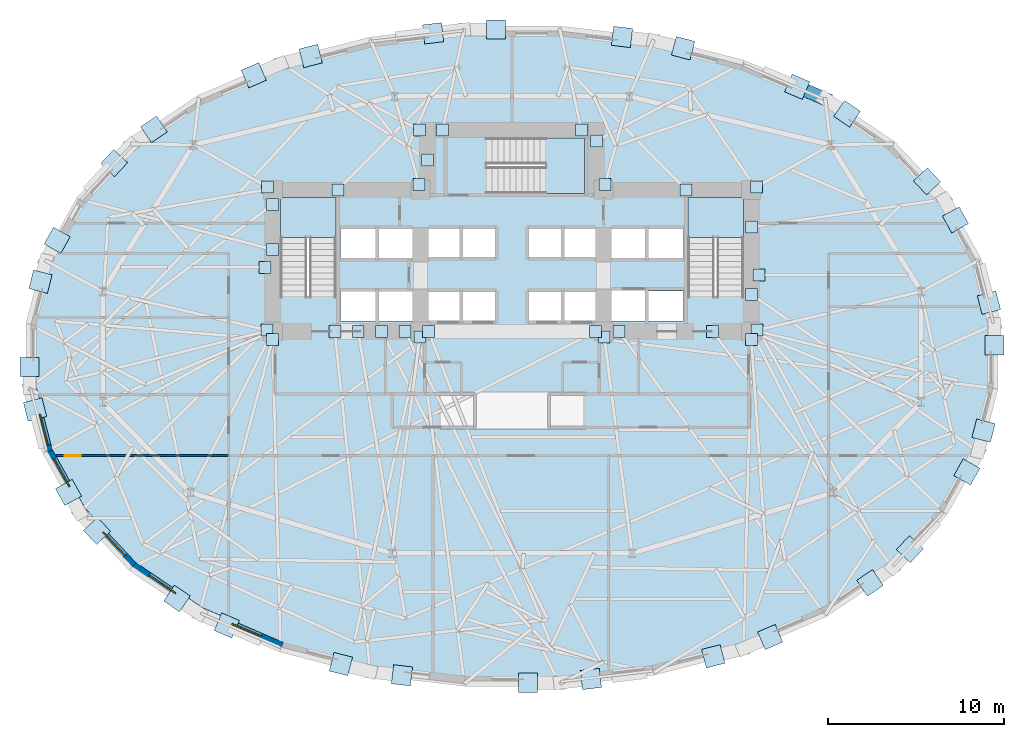
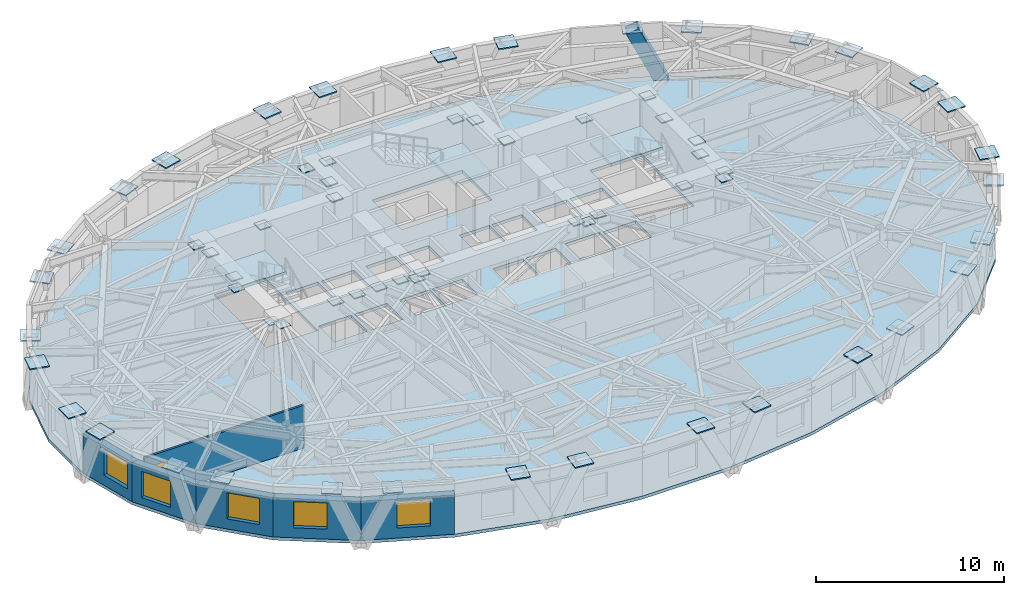
# One storey, part 5 of 14: 63 plates, 6 walls, 5 windows, 4 slabs, 1 door, 1 member, 6 openings, 3 elements without a shape of their own.
"""IFC4 building model written with IfcOpenShell, lengths in metres."""

from ifc_helpers import new_model, si_unit, direction, frame, frame_2d, origin, origin_2d, place, context, subcontext, project, spatial, polyline, rectangle, hollow_rectangle, outline, extrude, material, layer, layer_set, material_profile, profile_set, type_object, element, fill, aggregate, save


model = new_model("IFC4")

# Units and contexts
model_context = context("Model", 3, precision=1e-05, world=origin(), true_north=direction((0.0, 1.0)))
body_context = subcontext(model_context, "Body", "Model", "MODEL_VIEW")
ifc_project = project(units=[si_unit("LENGTHUNIT", "METRE"), si_unit("AREAUNIT", "SQUARE_METRE"), si_unit("VOLUMEUNIT", "CUBIC_METRE"), si_unit("PLANEANGLEUNIT", "RADIAN"), si_unit("MASSUNIT", "GRAM", prefix="KILO")], contexts=[model_context])

# Site, building, storey
site_placement = place(None, origin())
site = spatial("IfcSite", under=ifc_project, at=site_placement, CompositionType="ELEMENT")
building_placement = place(site_placement, origin())
building = spatial("IfcBuilding", under=site, at=building_placement, Name="Keldmark Tower", CompositionType="ELEMENT")
storey_placement = place(building_placement, frame((0.0, 0.0, 48.60009765625)))
storey = spatial("IfcBuildingStorey", under=building, at=storey_placement, Name="L12", CompositionType="ELEMENT", Elevation=48.60009765625)

# Member
ifc_material_1 = material(Name="Steel ASTM A572 Grade 50", Category="steel")
ifc_material_profile = material_profile(ifc_material_1, hollow_rectangle(XDim=0.75, YDim=0.75, WallThickness=0.06494140625, at=origin_2d()), Name="BOX750X750X65")
ifc_profile_set = profile_set([ifc_material_profile], Name="Steel ASTM A572 Grade 50")
member_type = type_object("IfcMemberType", Name="Diagrid Lower Brace BOX750X750X65", PredefinedType="BRACE", material=ifc_profile_set)
member_placement = place(storey_placement, frame((17.748291015625, 14.639404296875, -0.280029296875), z_axis=(-0.392269019797, 0.168443107948, 0.904296375915), x_axis=(-0.394567930175, -0.918866774063, 0.0)))
element("IfcMember", 1, at=member_placement, inside=storey, type_object=member_type, Name="L12 Perimeter Diagrid Brace 03A", PredefinedType="BRACE", context=body_context, shape_type="SweptSolid", body=[
    extrude(hollow_rectangle(XDim=0.75, YDim=0.75, WallThickness=0.06494140625, at=origin_2d()), origin(), (0.0, 0.0, 1.0), 3.9365234375),
])

# Plates
ifc_material_2 = material(Name="Steel ASTM A572 Grade 50", Category="steel")
ifc_layer_1 = layer(ifc_material_2, 0.06005859375)
ifc_layer_set_1 = layer_set([ifc_layer_1], Name="Steel ASTM A572 Grade 50")
plate_type_1 = type_object("IfcPlateType", Name="Belt Truss Kink Node Assembly KN01 60 mm", PredefinedType="USERDEFINED", material=ifc_layer_set_1)
for number, where, z_axis, x_axis, name in (
    (2, (13.91162109375, 1.473388671875, 3.09814453125), (0.0, 0.0, 1.0), (1.0, 0.0, 0.0), "L12 Core Wall Cast-In Embed Plate 294"),
    (3, (13.878173828125, 9.608154296875, 3.09814453125), (0.0, 0.0, 1.0), (1.0, 0.0, 0.0), "L12 Core Wall Cast-In Embed Plate 295"),
    (4, (5.28515625, 9.758544921875, 3.09814453125), (0.0, 0.0, 1.0), (1.0, 0.0, 0.0), "L12 Core Wall Cast-In Embed Plate 296"),
    (5, (-5.28515625, 9.758544921875, 3.09814453125), (0.0, 0.0, 1.0), (1.0, 0.0, 0.0), "L12 Core Wall Cast-In Embed Plate 297"),
    (6, (-13.878173828125, 9.608154296875, 3.09814453125), (0.0, 0.0, 1.0), (1.0, 0.0, 0.0), "L12 Core Wall Cast-In Embed Plate 298"),
    (7, (-13.91162109375, 1.473388671875, 3.09814453125), (0.0, 0.0, 1.0), (1.0, 0.0, 0.0), "L12 Core Wall Cast-In Embed Plate 299"),
    (8, (-5.24072265625, 1.08251953125, 3.09814453125), (0.0, 0.0, 1.0), (1.0, 0.0, 0.0), "L12 Core Wall Cast-In Embed Plate 300"),
    (9, (5.24072265625, 1.08251953125, 3.09814453125), (0.0, 0.0, 1.0), (1.0, 0.0, 0.0), "L12 Core Wall Cast-In Embed Plate 301"),
    (10, (9.892822265625, 9.449951171875, 3.10400390625), (0.0, 0.0, 1.0), (1.0, 0.0, 0.0), "L12 Core Wall Cast-In Embed Plate 302"),
    (11, (-9.892822265625, 9.449951171875, 3.10400390625), (0.0, 0.0, 1.0), (1.0, 0.0, 0.0), "L12 Core Wall Cast-In Embed Plate 303"),
    (12, (-5.25, 12.85009765625, 3.10400390625), (0.0, 0.0, 1.0), (1.0, 0.0, 0.0), "L12 Core Wall Cast-In Embed Plate 304"),
    (13, (-8.735595703125, 1.39990234375, 3.10400390625), (0.0, 0.0, 1.0), (1.0, 0.0, 0.0), "L12 Core Wall Cast-In Embed Plate 305"),
    (14, (-13.60009765625, 0.949951171875, 3.10400390625), (0.0, 0.0, 1.0), (1.0, 0.0, 0.0), "L12 Core Wall Cast-In Embed Plate 306"),
    (15, (-6.07861328125, 1.39990234375, 3.10400390625), (0.0, 0.0, 1.0), (1.0, 0.0, 0.0), "L12 Core Wall Cast-In Embed Plate 307"),
    (16, (13.60009765625, 0.949951171875, 3.10400390625), (0.0, 0.0, 1.0), (1.0, 0.0, 0.0), "L12 Core Wall Cast-In Embed Plate 308"),
    (17, (13.60009765625, 7.343017578125, 3.10400390625), (0.0, 0.0, 1.0), (1.0, 0.0, 0.0), "L12 Core Wall Cast-In Embed Plate 309"),
    (18, (4.800048828125, 12.22509765625, 3.10400390625), (0.0, 0.0, 1.0), (1.0, 0.0, 0.0), "L12 Core Wall Cast-In Embed Plate 310"),
    (19, (3.9375, 12.85009765625, 3.10400390625), (0.0, 0.0, 1.0), (1.0, 0.0, 0.0), "L12 Core Wall Cast-In Embed Plate 311"),
    (20, (-3.9375, 12.85009765625, 3.10400390625), (0.0, 0.0, 1.0), (1.0, 0.0, 0.0), "L12 Core Wall Cast-In Embed Plate 312"),
    (21, (-4.800048828125, 11.14990234375, 3.10400390625), (0.0, 0.0, 1.0), (1.0, 0.0, 0.0), "L12 Core Wall Cast-In Embed Plate 313"),
    (22, (-13.60009765625, 6.064208984375, 3.10400390625), (0.0, 0.0, 1.0), (1.0, 0.0, 0.0), "L12 Core Wall Cast-In Embed Plate 314"),
    (23, (-13.60009765625, 8.621337890625, 3.10400390625), (0.0, 0.0, 1.0), (1.0, 0.0, 0.0), "L12 Core Wall Cast-In Embed Plate 315"),
    (24, (4.75, 1.39990234375, 3.10400390625), (0.0, 0.0, 1.0), (1.0, 0.0, 0.0), "L12 Core Wall Cast-In Embed Plate 316"),
    (25, (-10.064208984375, 1.39990234375, 3.10400390625), (0.0, 0.0, 1.0), (1.0, 0.0, 0.0), "L12 Core Wall Cast-In Embed Plate 317"),
    (26, (-4.75, 1.39990234375, 3.10400390625), (0.0, 0.0, 1.0), (1.0, 0.0, 0.0), "L12 Core Wall Cast-In Embed Plate 318"),
    (27, (-7.406982421875, 1.39990234375, 3.10400390625), (0.0, 0.0, 1.0), (1.0, 0.0, 0.0), "L12 Core Wall Cast-In Embed Plate 319"),
    (28, (6.07861328125, 1.39990234375, 3.10400390625), (0.0, 0.0, 1.0), (1.0, 0.0, 0.0), "L12 Core Wall Cast-In Embed Plate 320"),
    (29, (11.392822265625, 1.39990234375, 3.10400390625), (0.0, 0.0, 1.0), (1.0, 0.0, 0.0), "L12 Core Wall Cast-In Embed Plate 321"),
    (30, (13.60009765625, 3.507080078125, 3.10400390625), (0.0, 0.0, 1.0), (1.0, 0.0, 0.0), "L12 Core Wall Cast-In Embed Plate 322"),
    (31, (-14.044921875, 5.0400390625, 3.14404296875), (0.0, 0.0, 1.0), (1.0, 0.0, 0.0), "L12 Core Wall Cast-In Embed Plate 323"),
    (32, (14.044921875, 4.6201171875, 3.14404296875), (0.0, 0.0, 1.0), (1.0, 0.0, 0.0), "L12 Core Wall Cast-In Embed Plate 324"),
):
    element("IfcPlate", number, at=place(storey_placement, frame(where, z_axis=z_axis, x_axis=x_axis)), inside=storey, type_object=plate_type_1, Name=name, ObjectType="CAP PLATE", PredefinedType="USERDEFINED", context=body_context, shape_type="SweptSolid", body=[
        extrude(rectangle(XDim=0.679931640625, YDim=0.679931640625, at=origin_2d()), origin(), (0.0, 0.0, 1.0), 0.054931640625),
    ])
ifc_material_3 = material(Name="Steel ASTM A572 Grade 50", Category="steel")
ifc_layer_2 = layer(ifc_material_3, 0.074951171875)
ifc_layer_set_2 = layer_set([ifc_layer_2], Name="Steel ASTM A572 Grade 50")
plate_type_2 = type_object("IfcPlateType", Name="Diagrid Node Assembly DN01 75 mm", PredefinedType="USERDEFINED", material=ifc_layer_set_2)
for number, where, z_axis, x_axis, name in (
    (33, (27.096923828125, 3.034423828125, 3.2421875), (0.0, 0.0, 1.0), (-0.248013628006, 0.968756543371, 0.0), "L12 Diagrid Node Assembly 01"),
    (34, (25.1943359375, 7.742919921875, 3.2421875), (0.0, 0.0, 1.0), (-0.487402531354, 0.87317740032, 0.0), "L12 Diagrid Node Assembly 02"),
    (35, (23.576904296875, 9.93115234375, 3.2421875), (0.0, 0.0, 1.0), (-0.683018857343, 0.730400739673, 0.0), "L12 Diagrid Node Assembly 03"),
    (36, (19.035400390625, 13.769775390625, 3.2421875), (0.0, 0.0, 1.0), (-0.827864584251, 0.560928007986, 0.0), "L12 Diagrid Node Assembly 04"),
    (37, (16.2041015625, 15.302490234375, 3.2421875), (0.0, 0.0, 1.0), (-0.918860091955, 0.394583491055, 0.0), "L12 Diagrid Node Assembly 05"),
    (38, (9.722900390625, 17.493896484375, 3.2421875), (0.0, 0.0, 1.0), (-0.968713242072, 0.248182704141, 0.0), "L12 Diagrid Node Assembly 06"),
    (39, (6.251220703125, 18.134765625, 3.2421875), (0.0, 0.0, 1.0), (-0.993150271527, 0.1168440763, 0.0), "L12 Diagrid Node Assembly 07"),
    (40, (-0.90771484375, 18.551513671875, 3.2421875), (0.0, 0.0, 1.0), (-1.0, 0.0, 0.0), "L12 Diagrid Node Assembly 08"),
    (41, (-4.48095703125, 18.342041015625, 3.2421875), (0.0, 0.0, 1.0), (-0.993150271527, -0.1168440763, 0.0), "L12 Diagrid Node Assembly 09"),
    (42, (-11.43505859375, 17.053466796875, 3.2421875), (0.0, 0.0, 1.0), (-0.968713242072, -0.248182704141, 0.0), "L12 Diagrid Node Assembly 10"),
    (43, (-14.66943359375, 15.958984375, 3.2421875), (0.0, 0.0, 1.0), (-0.918860091955, -0.394583491055, 0.0), "L12 Diagrid Node Assembly 11"),
    (44, (-20.339111328125, 12.8837890625, 3.2421875), (0.0, 0.0, 1.0), (-0.827864584251, -0.560928007986, 0.0), "L12 Diagrid Node Assembly 12"),
    (45, (-22.60498046875, 10.9677734375, 3.2421875), (0.0, 0.0, 1.0), (-0.683018857343, -0.730400739673, 0.0), "L12 Diagrid Node Assembly 13"),
    (46, (-25.842041015625, 6.579345703125, 3.2421875), (0.0, 0.0, 1.0), (-0.487402531354, -0.87317740032, 0.0), "L12 Diagrid Node Assembly 14"),
    (47, (-26.7900390625, 4.230224609375, 3.2421875), (0.0, 0.0, 1.0), (-0.248013628006, -0.968756543371, 0.0), "L12 Diagrid Node Assembly 15"),
    (48, (-27.40625, -0.616943359375, 3.2421875), (0.0, 0.0, 1.0), (0.0, -1.0, 0.0), "L12 Diagrid Node Assembly 16"),
    (49, (-27.096923828125, -3.034423828125, 3.2421875), (0.0, 0.0, 1.0), (0.248013628006, -0.968756543371, 0.0), "L12 Diagrid Node Assembly 17"),
    (50, (-25.1943359375, -7.742919921875, 3.2421875), (0.0, 0.0, 1.0), (0.487402531354, -0.87317740032, 0.0), "L12 Diagrid Node Assembly 18"),
    (51, (-23.576904296875, -9.93115234375, 3.2421875), (0.0, 0.0, 1.0), (0.683018857343, -0.730400739673, 0.0), "L12 Diagrid Node Assembly 19"),
    (52, (-19.035400390625, -13.769775390625, 3.2421875), (0.0, 0.0, 1.0), (0.827864584251, -0.560928007986, 0.0), "L12 Diagrid Node Assembly 20"),
    (53, (-16.2041015625, -15.302490234375, 3.2421875), (0.0, 0.0, 1.0), (0.918860091955, -0.394583491055, 0.0), "L12 Diagrid Node Assembly 21"),
    (54, (-9.722900390625, -17.493896484375, 3.2421875), (0.0, 0.0, 1.0), (0.968713242072, -0.248182704141, 0.0), "L12 Diagrid Node Assembly 22"),
    (55, (-6.251220703125, -18.134765625, 3.2421875), (0.0, 0.0, 1.0), (0.993150271527, -0.1168440763, 0.0), "L12 Diagrid Node Assembly 23"),
    (56, (0.90771484375, -18.551513671875, 3.2421875), (0.0, 0.0, 1.0), (1.0, 0.0, 0.0), "L12 Diagrid Node Assembly 24"),
    (57, (4.48095703125, -18.342041015625, 3.2421875), (0.0, 0.0, 1.0), (0.993150271527, 0.1168440763, 0.0), "L12 Diagrid Node Assembly 25"),
    (58, (11.43505859375, -17.053466796875, 3.2421875), (0.0, 0.0, 1.0), (0.968713242072, 0.248182704141, 0.0), "L12 Diagrid Node Assembly 26"),
    (59, (14.66943359375, -15.958984375, 3.2421875), (0.0, 0.0, 1.0), (0.918860091955, 0.394583491055, 0.0), "L12 Diagrid Node Assembly 27"),
    (60, (20.339111328125, -12.8837890625, 3.2421875), (0.0, 0.0, 1.0), (0.827864584251, 0.560928007986, 0.0), "L12 Diagrid Node Assembly 28"),
    (61, (22.60498046875, -10.9677734375, 3.2421875), (0.0, 0.0, 1.0), (0.683018857343, 0.730400739673, 0.0), "L12 Diagrid Node Assembly 29"),
    (62, (25.842041015625, -6.579345703125, 3.2421875), (0.0, 0.0, 1.0), (0.487402531354, 0.87317740032, 0.0), "L12 Diagrid Node Assembly 30"),
    (63, (26.7900390625, -4.230224609375, 3.2421875), (0.0, 0.0, 1.0), (0.248013628006, 0.968756543371, 0.0), "L12 Diagrid Node Assembly 31"),
    (64, (27.40625, 0.616943359375, 3.2421875), (0.0, 0.0, 1.0), (0.0, 1.0, 0.0), "L12 Diagrid Node Assembly 32"),
):
    element("IfcPlate", number, at=place(storey_placement, frame(where, z_axis=z_axis, x_axis=x_axis)), inside=storey, type_object=plate_type_2, Name=name, ObjectType="GUSSET", PredefinedType="USERDEFINED", context=body_context, shape_type="SweptSolid", body=[
        extrude(rectangle(XDim=1.090087890625, YDim=1.090087890625, at=origin_2d()), origin(), (0.0, 0.0, 1.0), 0.074951171875),
    ])

# Slab
ifc_material_4 = material(Name="Concrete C35/45", Category="concrete")
ifc_layer_3 = layer(ifc_material_4, 0.199951171875)
ifc_layer_set_3 = layer_set([ifc_layer_3], Name="Concrete C35/45")
slab_type_1 = type_object("IfcSlabType", Name="Low-Rise Office Composite Slab 200 mm", PredefinedType="FLOOR", material=ifc_layer_set_3)
slab_1_placement = place(storey_placement, frame((0.0, 0.0, -0.2001953125)))
element("IfcSlab", 65, at=slab_1_placement, inside=storey, type_object=slab_type_1, Name="L12 Composite Structural Floor Slab", PredefinedType="FLOOR", context=body_context, shape_type="SweptSolid", body=[
    extrude(outline(polyline([(27.4658203125, 1.8330078125), (26.538330078125, 5.455078125), (24.6083984375, 8.912841796875), (21.6728515625, 12.05224609375), (17.786376953125, 14.685791015625), (13.1533203125, 16.6748046875), (8.05029296875, 17.982666015625), (2.705078125, 18.611083984375), (-2.705078125, 18.611083984375), (-8.05029296875, 17.982666015625), (-13.1533203125, 16.6748046875), (-17.786376953125, 14.685791015625), (-21.6728515625, 12.05224609375), (-24.6083984375, 8.912841796875), (-26.538330078125, 5.455078125), (-27.4658203125, 1.8330078125), (-27.4658203125, -1.8330078125), (-26.538330078125, -5.455078125), (-24.6083984375, -8.912841796875), (-21.6728515625, -12.05224609375), (-17.786376953125, -14.685791015625), (-13.1533203125, -16.6748046875), (-8.05029296875, -17.982666015625), (-2.705078125, -18.611083984375), (2.705078125, -18.611083984375), (8.05029296875, -17.982666015625), (13.1533203125, -16.6748046875), (17.786376953125, -14.685791015625), (21.6728515625, -12.05224609375), (24.6083984375, -8.912841796875), (26.538330078125, -5.455078125), (27.4658203125, -1.8330078125), (27.4658203125, 1.8330078125)]), holes=[polyline([(-10.0, 3.385009765625), (-10.0, 9.0), (-13.14990234375, 9.0), (-13.14990234375, 3.385009765625), (-10.0, 3.385009765625)]), polyline([(13.14990234375, 3.385009765625), (13.14990234375, 9.0), (10.0, 9.0), (10.0, 3.385009765625), (13.14990234375, 3.385009765625)]), polyline([(-1.43994140625, 9.25), (4.10498046875, 9.25), (4.10498046875, 12.39990234375), (-1.43994140625, 12.39990234375), (-1.43994140625, 9.25)]), polyline([(-9.75, 2.0), (-7.75, 2.0), (-7.75, 3.699951171875), (-9.75, 3.699951171875), (-9.75, 2.0)]), polyline([(7.75, 2.0), (9.75, 2.0), (9.75, 3.699951171875), (7.75, 3.699951171875), (7.75, 2.0)]), polyline([(5.449951171875, 2.0), (7.550048828125, 2.0), (7.550048828125, 3.75), (5.449951171875, 3.75), (5.449951171875, 2.0)]), polyline([(-4.800048828125, 2.0), (-2.949951171875, 2.0), (-2.949951171875, 3.64990234375), (-4.800048828125, 3.64990234375), (-4.800048828125, 2.0)]), polyline([(-2.800048828125, 2.0), (-0.949951171875, 2.0), (-0.949951171875, 3.64990234375), (-2.800048828125, 3.64990234375), (-2.800048828125, 2.0)]), polyline([(0.949951171875, 2.0), (2.800048828125, 2.0), (2.800048828125, 3.64990234375), (0.949951171875, 3.64990234375), (0.949951171875, 2.0)]), polyline([(2.949951171875, 2.0), (4.800048828125, 2.0), (4.800048828125, 3.64990234375), (2.949951171875, 3.64990234375), (2.949951171875, 2.0)]), polyline([(-4.800048828125, 5.60009765625), (-2.949951171875, 5.60009765625), (-2.949951171875, 7.25), (-4.800048828125, 7.25), (-4.800048828125, 5.60009765625)]), polyline([(-2.800048828125, 5.60009765625), (-0.949951171875, 5.60009765625), (-0.949951171875, 7.25), (-2.800048828125, 7.25), (-2.800048828125, 5.60009765625)]), polyline([(0.949951171875, 5.60009765625), (2.800048828125, 5.60009765625), (2.800048828125, 7.25), (0.949951171875, 7.25), (0.949951171875, 5.60009765625)]), polyline([(2.949951171875, 5.60009765625), (4.800048828125, 5.60009765625), (4.800048828125, 7.25), (2.949951171875, 7.25), (2.949951171875, 5.60009765625)]), polyline([(-9.75, 5.550048828125), (-7.75, 5.550048828125), (-7.75, 7.25), (-9.75, 7.25), (-9.75, 5.550048828125)]), polyline([(-7.550048828125, 5.550048828125), (-5.550048828125, 5.550048828125), (-5.550048828125, 7.25), (-7.550048828125, 7.25), (-7.550048828125, 5.550048828125)]), polyline([(-7.550048828125, 2.0), (-5.550048828125, 2.0), (-5.550048828125, 3.699951171875), (-7.550048828125, 3.699951171875), (-7.550048828125, 2.0)]), polyline([(5.449951171875, 5.550048828125), (7.550048828125, 5.550048828125), (7.550048828125, 7.25), (5.449951171875, 7.25), (5.449951171875, 5.550048828125)]), polyline([(7.75, 5.550048828125), (9.75, 5.550048828125), (9.75, 7.25), (7.75, 7.25), (7.75, 5.550048828125)])]), origin(), (0.0, 0.0, 1.0), 0.2001953125),
])

# Stair, slab
ifc_material_5 = material(Name="Concrete C40/50", Category="concrete")
stair_type = type_object("IfcStairType", Name="Precast Concrete Core Exit Stair", PredefinedType="HALF_TURN_STAIR", material=ifc_material_5)
stair_1_placement = place(storey_placement, origin())
stair_1 = element("IfcStair", 66, at=stair_1_placement, inside=storey, type_object=stair_type, Name="L12 Exit Stair ST1", PredefinedType="HALF_TURN_STAIR")
ifc_material_6 = material(Name="Concrete C40/50", Category="concrete")
ifc_layer_4 = layer(ifc_material_6, 0.199951171875)
ifc_layer_set_4 = layer_set([ifc_layer_4], Name="Concrete C40/50")
slab_type_2 = type_object("IfcSlabType", Name="Reinforced Concrete Stair Landing 200 mm", PredefinedType="LANDING", material=ifc_layer_set_4)
slab_2_placement = place(storey_placement, frame((0.0, 0.0, 1.599853515625)))
slab_2 = element("IfcSlab", 67, at=slab_2_placement, type_object=slab_type_2, Name="ST1 landing 1", PredefinedType="LANDING", context=body_context, shape_type="SweptSolid", body=[
    extrude(outline(polyline([(-10.0, 6.72998046875), (-10.0, 9.0), (-13.14990234375, 9.0), (-13.14990234375, 6.72998046875), (-10.0, 6.72998046875)])), origin(), (0.0, 0.0, 1.0), 0.199951171875),
])
aggregate(stair_1, [slab_2])

stair_2_placement = place(storey_placement, origin())
stair_2 = element("IfcStair", 68, at=stair_2_placement, inside=storey, type_object=stair_type, Name="L12 Exit Stair ST2", PredefinedType="HALF_TURN_STAIR")
slab_3_placement = place(storey_placement, frame((0.0, 0.0, 1.599853515625)))
slab_3 = element("IfcSlab", 69, at=slab_3_placement, type_object=slab_type_2, Name="ST2 landing 1", PredefinedType="LANDING", context=body_context, shape_type="SweptSolid", body=[
    extrude(outline(polyline([(13.14990234375, 6.72998046875), (13.14990234375, 9.0), (10.0, 9.0), (10.0, 6.72998046875), (13.14990234375, 6.72998046875)])), origin(), (0.0, 0.0, 1.0), 0.199951171875),
])
aggregate(stair_2, [slab_3])

stair_3_placement = place(storey_placement, origin())
stair_3 = element("IfcStair", 70, at=stair_3_placement, inside=storey, type_object=stair_type, Name="L12 Exit Stair ST3", PredefinedType="HALF_TURN_STAIR")
slab_4_placement = place(storey_placement, frame((0.0, 0.0, 1.599853515625)))
slab_4 = element("IfcSlab", 71, at=slab_4_placement, type_object=slab_type_2, Name="ST3 landing 1", PredefinedType="LANDING", context=body_context, shape_type="SweptSolid", body=[
    extrude(outline(polyline([(1.905029296875, 9.25), (4.10498046875, 9.25), (4.10498046875, 12.39990234375), (1.905029296875, 12.39990234375), (1.905029296875, 9.25)])), origin(), (0.0, 0.0, 1.0), 0.199951171875),
])
aggregate(stair_3, [slab_4])

# Wall, opening, door
ifc_material_7 = material(Name="Acoustic Gypsum Board Interior Partition", Category="gypsum")
ifc_layer_5 = layer(ifc_material_7, 0.1298828125)
ifc_layer_set_5 = layer_set([ifc_layer_5], Name="Acoustic Gypsum Board Interior Partition")
wall_type_1 = type_object("IfcWallType", Name="Interior Partition 130 mm", PredefinedType="PARTITIONING", material=ifc_layer_set_5)
wall_1_placement = place(storey_placement, frame((-25.91650390625, -5.64990234375, 0.0), z_axis=(0.0, 0.0, 1.0), x_axis=(1.0, 0.0, 0.0)))
wall_1 = element("IfcWall", 72, at=wall_1_placement, inside=storey, type_object=wall_type_1, Name="L12 Interior Partition 130 mm W-CAP-S", PredefinedType="PARTITIONING", context=body_context, shape_type="SweptSolid", body=[
    extrude(rectangle(XDim=9.81640625, YDim=0.1298828125, at=frame_2d((4.908203125, 0.0))), origin(), (0.0, 0.0, 1.0), 2.77880859375),
])
opening_1_placement = place(wall_1_placement, frame((0.510009765625, 0.0, 0.0)))
opening_1 = element("IfcOpeningElement", 73, at=opening_1_placement, cuts=wall_1, Name="Opening D-IN090", PredefinedType="OPENING", context=body_context, shape_type="SweptSolid", body=[
    extrude(rectangle(XDim=0.89990234375, YDim=2.10009765625, at=frame_2d((0.449951171875, 1.050048828125))), frame((0.0, 0.074951171875, 0.0), z_axis=(0.0, -1.0, 0.0), x_axis=(1.0, 0.0, 0.0)), (0.0, 0.0, 1.0), 0.14990234375),
])
ifc_material_8 = material(Name="Stained American White Oak Veneer", Category="wood")
door_type = type_object("IfcDoorType", Name="Interior Door 900x2100", OperationType="NOTDEFINED", PredefinedType="DOOR", material=ifc_material_8)
door_placement = place(opening_1_placement, origin())
door = element("IfcDoor", 74, at=door_placement, inside=storey, type_object=door_type, Name="L12 Interior Door 900x2100 D-WRSW-L12", OperationType="SINGLE_SWING_LEFT", OverallHeight=2.10009765625, OverallWidth=0.89990234375, PredefinedType="DOOR", context=body_context, shape_type="SweptSolid", body=[
    extrude(rectangle(XDim=0.89990234375, YDim=2.10009765625, at=frame_2d((0.449951171875, 1.050048828125))), frame((0.0, 0.02490234375, 0.0), z_axis=(0.0, -1.0, 0.0), x_axis=(1.0, 0.0, 0.0)), (0.0, 0.0, 1.0), 0.050048828125),
])
fill(opening_1, door)

# Wall, opening, window
ifc_material_9 = material(Name="Ironspot Manganese Brick and Kasota Buff Limestone Spandrel Assembly", Category="masonry")
ifc_layer_6 = layer(ifc_material_9, 0.43994140625)
ifc_layer_set_6 = layer_set([ifc_layer_6], Name="Ironspot Manganese Brick and Kasota Buff Limestone Spandrel Assembly")
wall_type_2 = type_object("IfcWallType", Name="Tower Brick Pier and Spandrel Wall 440 mm", PredefinedType="STANDARD", material=ifc_layer_set_6)
wall_2_placement = place(storey_placement, frame((-26.3251953125, -5.400390625, 0.0), z_axis=(0.0, 0.0, 1.0), x_axis=(-0.248062710061, 0.968743976434, 0.0)))
wall_2 = element("IfcWall", 75, at=wall_2_placement, inside=storey, type_object=wall_type_2, Name="L12 Exterior Brick and Spandrel Wall 17", PredefinedType="STANDARD", context=body_context, shape_type="SweptSolid", body=[
    extrude(rectangle(XDim=3.739013671875, YDim=0.43994140625, at=frame_2d((1.86962890625, 0.0))), origin(), (0.0, 0.0, 1.0), 2.52880859375),
])
opening_2_placement = place(wall_2_placement, frame((0.348876953125, 0.0, 0.64990234375)))
opening_2 = element("IfcOpeningElement", 76, at=opening_2_placement, cuts=wall_2, Name="Opening W-02", PredefinedType="OPENING", context=body_context, shape_type="SweptSolid", body=[
    extrude(rectangle(XDim=1.800048828125, YDim=1.699951171875, at=frame_2d((0.89990234375, 0.85009765625))), frame((0.0, 0.22998046875, 0.0), z_axis=(0.0, -1.0, 0.0), x_axis=(1.0, 0.0, 0.0)), (0.0, 0.0, 1.0), 0.4599609375),
])
ifc_material_10 = material(Name="Thermally Broken Anodized Aluminum and Triple Low-E Argon Glazing", Category="aluminium")
window_type = type_object("IfcWindowType", Name="Office Deep-Set Triple Window 1800x1700", PartitioningType="TRIPLE_PANEL_VERTICAL", PredefinedType="WINDOW", material=ifc_material_10)
window_1_placement = place(opening_2_placement, origin())
window_1 = element("IfcWindow", 77, at=window_1_placement, inside=storey, type_object=window_type, Name="L12 Deep-Set Window 17", OverallHeight=1.699951171875, OverallWidth=1.800048828125, PartitioningType="SINGLE_PANEL", PredefinedType="WINDOW", context=body_context, shape_type="SweptSolid", body=[
    extrude(rectangle(XDim=1.800048828125, YDim=1.699951171875, at=frame_2d((0.89990234375, 0.85009765625))), frame((0.0, -0.010009765625, 0.0), z_axis=(0.0, -1.0, 0.0), x_axis=(1.0, 0.0, 0.0)), (0.0, 0.0, 1.0), 0.06005859375),
])
fill(opening_2, window_1)

wall_3_placement = place(storey_placement, frame((-24.416259765625, -8.8056640625, 0.0), z_axis=(0.0, 0.0, 1.0), x_axis=(-0.487369438963, 0.873195871477, 0.0)))
wall_3 = element("IfcWall", 78, at=wall_3_placement, inside=storey, type_object=wall_type_2, Name="L12 Exterior Brick and Spandrel Wall 18", PredefinedType="STANDARD", context=body_context, shape_type="SweptSolid", body=[
    extrude(rectangle(XDim=3.9599609375, YDim=0.43994140625, at=frame_2d((1.97998046875, 0.0))), origin(), (0.0, 0.0, 1.0), 2.52880859375),
])
opening_3_placement = place(wall_3_placement, frame((1.56884765625, 0.0, 0.47998046875)))
opening_3 = element("IfcOpeningElement", 79, at=opening_3_placement, cuts=wall_3, Name="Opening W-02", PredefinedType="OPENING", context=body_context, shape_type="SweptSolid", body=[
    extrude(rectangle(XDim=1.800048828125, YDim=1.699951171875, at=frame_2d((0.89990234375, 0.85009765625))), frame((0.0, 0.22998046875, 0.0), z_axis=(0.0, -1.0, 0.0), x_axis=(1.0, 0.0, 0.0)), (0.0, 0.0, 1.0), 0.4599609375),
])
window_2_placement = place(opening_3_placement, origin())
window_2 = element("IfcWindow", 80, at=window_2_placement, inside=storey, type_object=window_type, Name="L12 Deep-Set Window 18", OverallHeight=1.699951171875, OverallWidth=1.800048828125, PartitioningType="SINGLE_PANEL", PredefinedType="WINDOW", context=body_context, shape_type="SweptSolid", body=[
    extrude(rectangle(XDim=1.800048828125, YDim=1.699951171875, at=frame_2d((0.89990234375, 0.85009765625))), frame((0.0, -0.010009765625, 0.0), z_axis=(0.0, -1.0, 0.0), x_axis=(1.0, 0.0, 0.0)), (0.0, 0.0, 1.0), 0.06005859375),
])
fill(opening_3, window_2)

wall_4_placement = place(storey_placement, frame((-21.51220703125, -11.902099609375, 0.0), z_axis=(0.0, 0.0, 1.0), x_axis=(-0.68299392258, 0.730424056093, 0.0)))
wall_4 = element("IfcWall", 81, at=wall_4_placement, inside=storey, type_object=wall_type_2, Name="L12 Exterior Brick and Spandrel Wall 19", PredefinedType="STANDARD", context=body_context, shape_type="SweptSolid", body=[
    extrude(rectangle(XDim=4.298095703125, YDim=0.43994140625, at=frame_2d((2.14892578125, 0.0))), origin(), (0.0, 0.0, 1.0), 2.52880859375),
])
opening_4_placement = place(wall_4_placement, frame((0.74951171875, 0.0, 0.64990234375)))
opening_4 = element("IfcOpeningElement", 82, at=opening_4_placement, cuts=wall_4, Name="Opening W-02", PredefinedType="OPENING", context=body_context, shape_type="SweptSolid", body=[
    extrude(rectangle(XDim=1.800048828125, YDim=1.699951171875, at=frame_2d((0.89990234375, 0.85009765625))), frame((0.0, 0.22998046875, 0.0), z_axis=(0.0, -1.0, 0.0), x_axis=(1.0, 0.0, 0.0)), (0.0, 0.0, 1.0), 0.4599609375),
])
window_3_placement = place(opening_4_placement, origin())
window_3 = element("IfcWindow", 83, at=window_3_placement, inside=storey, type_object=window_type, Name="L12 Deep-Set Window 19", OverallHeight=1.699951171875, OverallWidth=1.800048828125, PartitioningType="SINGLE_PANEL", PredefinedType="WINDOW", context=body_context, shape_type="SweptSolid", body=[
    extrude(rectangle(XDim=1.800048828125, YDim=1.699951171875, at=frame_2d((0.89990234375, 0.85009765625))), frame((0.0, -0.010009765625, 0.0), z_axis=(0.0, -1.0, 0.0), x_axis=(1.0, 0.0, 0.0)), (0.0, 0.0, 1.0), 0.06005859375),
])
fill(opening_4, window_3)

wall_5_placement = place(storey_placement, frame((-17.6630859375, -14.503662109375, 0.0), z_axis=(0.0, 0.0, 1.0), x_axis=(-0.827825981515, 0.560984976919, 0.0)))
wall_5 = element("IfcWall", 84, at=wall_5_placement, inside=storey, type_object=wall_type_2, Name="L12 Exterior Brick and Spandrel Wall 20", PredefinedType="STANDARD", context=body_context, shape_type="SweptSolid", body=[
    extrude(rectangle(XDim=4.694580078125, YDim=0.43994140625, at=frame_2d((2.34716796875, 0.0))), origin(), (0.0, 0.0, 1.0), 2.52880859375),
])
opening_5_placement = place(wall_5_placement, frame((1.79638671875, 0.0, 0.64990234375)))
opening_5 = element("IfcOpeningElement", 85, at=opening_5_placement, cuts=wall_5, Name="Opening W-02", PredefinedType="OPENING", context=body_context, shape_type="SweptSolid", body=[
    extrude(rectangle(XDim=1.800048828125, YDim=1.699951171875, at=frame_2d((0.89990234375, 0.85009765625))), frame((0.0, 0.22998046875, 0.0), z_axis=(0.0, -1.0, 0.0), x_axis=(1.0, 0.0, 0.0)), (0.0, 0.0, 1.0), 0.4599609375),
])
window_4_placement = place(opening_5_placement, origin())
window_4 = element("IfcWindow", 86, at=window_4_placement, inside=storey, type_object=window_type, Name="L12 Deep-Set Window 20", OverallHeight=1.699951171875, OverallWidth=1.800048828125, PartitioningType="SINGLE_PANEL", PredefinedType="WINDOW", context=body_context, shape_type="SweptSolid", body=[
    extrude(rectangle(XDim=1.800048828125, YDim=1.699951171875, at=frame_2d((0.89990234375, 0.85009765625))), frame((0.0, -0.010009765625, 0.0), z_axis=(0.0, -1.0, 0.0), x_axis=(1.0, 0.0, 0.0)), (0.0, 0.0, 1.0), 0.06005859375),
])
fill(opening_5, window_4)

wall_6_placement = place(storey_placement, frame((-13.066650390625, -16.47265625, 0.0), z_axis=(0.0, 0.0, 1.0), x_axis=(-0.918881850071, 0.394532819433, 0.0)))
wall_6 = element("IfcWall", 87, at=wall_6_placement, inside=storey, type_object=wall_type_2, Name="L12 Exterior Brick and Spandrel Wall 21", PredefinedType="STANDARD", context=body_context, shape_type="SweptSolid", body=[
    extrude(rectangle(XDim=5.0419921875, YDim=0.43994140625, at=frame_2d((2.52099609375, 0.0))), origin(), (0.0, 0.0, 1.0), 2.52880859375),
])
opening_6_placement = place(wall_6_placement, frame((1.296875, 0.0, 0.64990234375)))
opening_6 = element("IfcOpeningElement", 88, at=opening_6_placement, cuts=wall_6, Name="Opening W-02", PredefinedType="OPENING", context=body_context, shape_type="SweptSolid", body=[
    extrude(rectangle(XDim=1.800048828125, YDim=1.699951171875, at=frame_2d((0.89990234375, 0.85009765625))), frame((0.0, 0.22998046875, 0.0), z_axis=(0.0, -1.0, 0.0), x_axis=(1.0, 0.0, 0.0)), (0.0, 0.0, 1.0), 0.4599609375),
])
window_5_placement = place(opening_6_placement, origin())
window_5 = element("IfcWindow", 89, at=window_5_placement, inside=storey, type_object=window_type, Name="L12 Deep-Set Window 21", OverallHeight=1.699951171875, OverallWidth=1.800048828125, PartitioningType="SINGLE_PANEL", PredefinedType="WINDOW", context=body_context, shape_type="SweptSolid", body=[
    extrude(rectangle(XDim=1.800048828125, YDim=1.699951171875, at=frame_2d((0.89990234375, 0.85009765625))), frame((0.0, -0.010009765625, 0.0), z_axis=(0.0, -1.0, 0.0), x_axis=(1.0, 0.0, 0.0)), (0.0, 0.0, 1.0), 0.06005859375),
])
fill(opening_6, window_5)

save(model, "model.ifc")
